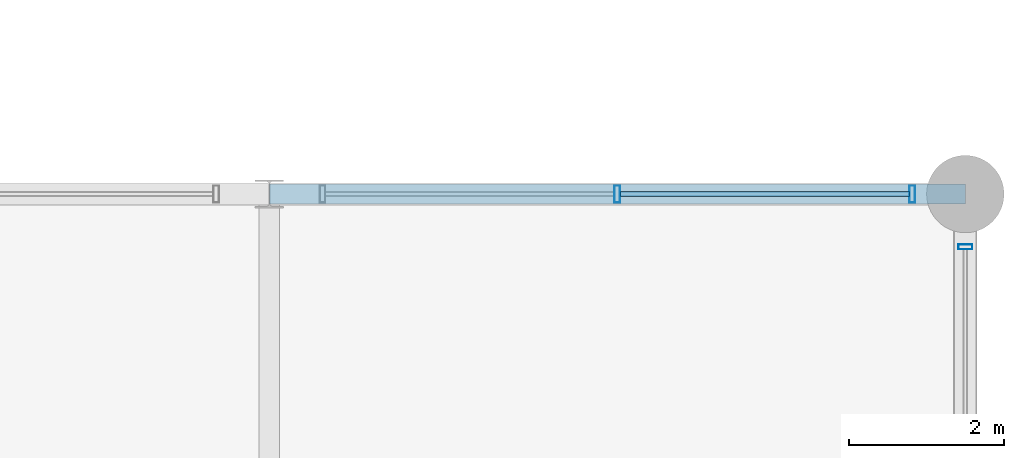
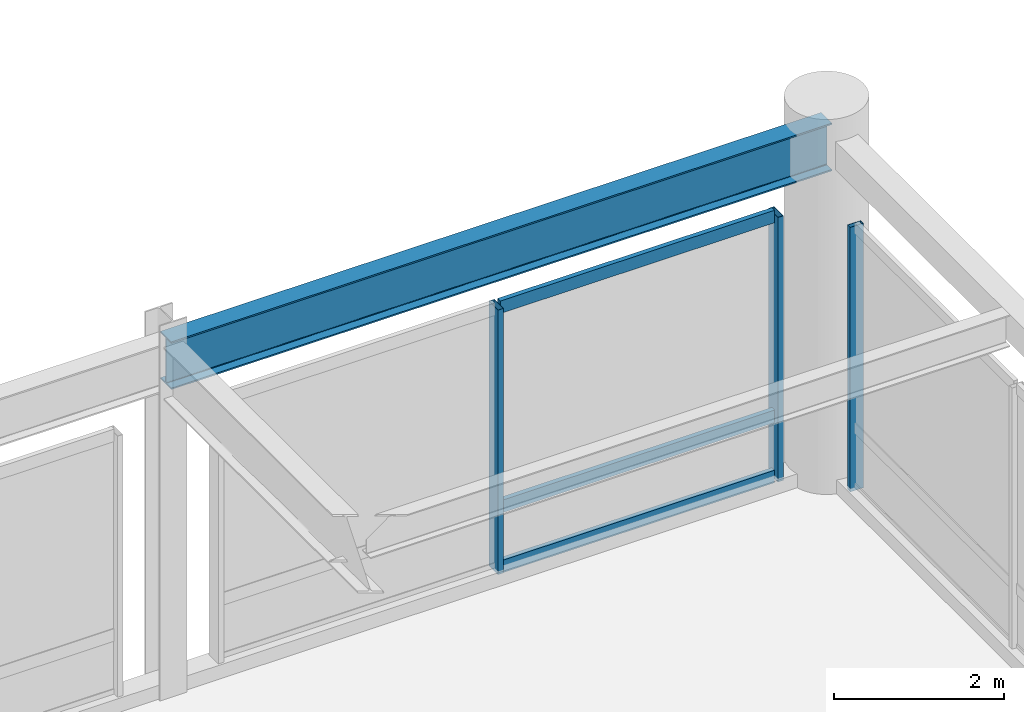
# One storey, part 56 of 100: 6 members, 1 beam, 2 elements without a shape of their own.
"""IFC4 building model written with IfcOpenShell, lengths in metres."""

from ifc_helpers import new_model, si_unit, direction, frame, origin, origin_2d, place, context, subcontext, project, spatial, hollow_rectangle, i_section, extrude, material, material_profile, profile_set, type_object, element, aggregate, save


model = new_model("IFC4")

# Units and contexts
model_context = context("Model", 3, precision=1e-05, world=origin(), true_north=direction((0.0, 1.0)))
body_context = subcontext(model_context, "Body", "Model", "MODEL_VIEW")
ifc_project = project(units=[si_unit("LENGTHUNIT", "METRE"), si_unit("AREAUNIT", "SQUARE_METRE"), si_unit("VOLUMEUNIT", "CUBIC_METRE"), si_unit("PLANEANGLEUNIT", "RADIAN"), si_unit("MASSUNIT", "GRAM", prefix="KILO")], contexts=[model_context])

# Site, building, storey
site_placement = place(None, origin())
site = spatial("IfcSite", under=ifc_project, at=site_placement, CompositionType="ELEMENT")
building_placement = place(site_placement, origin())
building = spatial("IfcBuilding", under=site, at=building_placement, Name="Kaldorvane Square Convention Centre", CompositionType="ELEMENT")
storey_placement = place(building_placement, frame((0.0, 0.0, 18.0)))
storey = spatial("IfcBuildingStorey", under=building, at=storey_placement, Name="L03", CompositionType="ELEMENT", Elevation=18.0)

# Beam
ifc_material_1 = material(Name="Steel ASTM A992 Gr. 50", Category="steel")
ifc_material_profile_1 = material_profile(ifc_material_1, i_section(OverallWidth=0.25439453125, OverallDepth=0.6880950927734375, WebThickness=0.0131072998046875, FlangeThickness=0.0211029052734375, FilletRadius=0.01519775390625, at=origin_2d()), Name="W27X102")
ifc_profile_set_1 = profile_set([ifc_material_profile_1], Name="Steel ASTM A992 Gr. 50")
beam_type = type_object("IfcBeamType", Name="BM-GR-W27X102", PredefinedType="BEAM", material=ifc_profile_set_1)
beam_placement = place(storey_placement, frame((165.0, 36.0, 4.731903076171875), z_axis=(1.0, 0.0, 0.0), x_axis=(0.0, 1.0, 0.0)))
element("IfcBeam", 1, at=beam_placement, inside=storey, type_object=beam_type, Name="Primary Girder (L03)", PredefinedType="BEAM", context=body_context, shape_type="SweptSolid", body=[
    extrude(i_section(OverallWidth=0.25439453125, OverallDepth=0.6880950927734375, WebThickness=0.0131072998046875, FlangeThickness=0.0211029052734375, FilletRadius=0.01519775390625, at=origin_2d()), origin(), (0.0, 0.0, 1.0), 9.0),
])

# Curtain wall, member
ifc_material_2 = material(Name="Anodized Aluminum and Low-E Insulated Glazing", Category="aluminium")
curtain_wall_type_1 = type_object("IfcCurtainWallType", Name="CW-UNI-P54-09", PredefinedType="USERDEFINED", material=ifc_material_2)
curtain_wall_1_placement = place(storey_placement, origin())
curtain_wall_1 = element("IfcCurtainWall", 2, at=curtain_wall_1_placement, inside=storey, type_object=curtain_wall_type_1, Name="Curtain Wall CW-04 (L03)", ObjectType="UNITISED GLAZING", PredefinedType="USERDEFINED")
ifc_material_profile_2 = material_profile(ifc_material_2, hollow_rectangle(XDim=0.06500244140625, YDim=0.17999267578125, WallThickness=0.0034942626953125, at=origin_2d()), Name="CWM-180X65")
ifc_profile_set_2 = profile_set([ifc_material_profile_2], Name="Anodized Aluminum and Low-E Insulated Glazing")
member_type_1 = type_object("IfcMemberType", Name="CW-MUL-180", PredefinedType="MULLION", material=ifc_profile_set_2)
member_1_placement = place(storey_placement, frame((174.0, 35.3175048828125, 0.149993896484375), z_axis=(0.0, 0.0, 1.0), x_axis=(0.0, 1.0, 0.0)))
member_1 = element("IfcMember", 3, at=member_1_placement, type_object=member_type_1, Name="CW-04 mullion 3", PredefinedType="MULLION", context=body_context, shape_type="SweptSolid", body=[
    extrude(hollow_rectangle(XDim=0.06500244140625, YDim=0.17999267578125, WallThickness=0.0034942626953125, at=origin_2d()), origin(), (0.0, 0.0, 1.0), 3.8100128173828125),
])
aggregate(curtain_wall_1, [member_1])

# Curtain wall, members
curtain_wall_type_2 = type_object("IfcCurtainWallType", Name="CW-PTS-FC-54", PredefinedType="USERDEFINED", material=ifc_material_2)
curtain_wall_2_placement = place(storey_placement, origin())
curtain_wall_2 = element("IfcCurtainWall", 4, at=curtain_wall_2_placement, inside=storey, type_object=curtain_wall_type_2, Name="Curtain Wall CW-08 (L03)", ObjectType="POINT SUPPORTED GLAZING", PredefinedType="USERDEFINED")
ifc_material_profile_3 = material_profile(ifc_material_2, hollow_rectangle(XDim=0.0749969482421875, YDim=0.220001220703125, WallThickness=0.003997802734375, at=origin_2d()), Name="CWM-220X75")
ifc_profile_set_3 = profile_set([ifc_material_profile_3], Name="Anodized Aluminum and Low-E Insulated Glazing")
member_type_2 = type_object("IfcMemberType", Name="CW-MUL-220", PredefinedType="MULLION", material=ifc_profile_set_3)
member_2_placement = place(storey_placement, frame((173.3125, 36.0, 0.149993896484375), z_axis=(0.0, 0.0, 1.0), x_axis=(-1.0, 0.0, 0.0)))
member_2 = element("IfcMember", 5, at=member_2_placement, type_object=member_type_2, Name="CW-08 mullion 1", PredefinedType="MULLION", context=body_context, shape_type="SweptSolid", body=[
    extrude(hollow_rectangle(XDim=0.0749969482421875, YDim=0.220001220703125, WallThickness=0.003997802734375, at=origin_2d()), origin(), (0.0, 0.0, 1.0), 3.8100128173828125),
])
member_3_placement = place(storey_placement, frame((169.5, 36.0, 0.149993896484375), z_axis=(0.0, 0.0, 1.0), x_axis=(-1.0, 0.0, 0.0)))
member_3 = element("IfcMember", 6, at=member_3_placement, type_object=member_type_2, Name="CW-08 mullion 2", PredefinedType="MULLION", context=body_context, shape_type="SweptSolid", body=[
    extrude(hollow_rectangle(XDim=0.0749969482421875, YDim=0.220001220703125, WallThickness=0.003997802734375, at=origin_2d()), origin(), (0.0, 0.0, 1.0), 3.8100128173828125),
])
ifc_material_profile_4 = material_profile(ifc_material_2, hollow_rectangle(XDim=0.06500244140625, YDim=0.17999267578125, WallThickness=0.0034942626953125, at=origin_2d()), Name="CWT-180X65")
ifc_profile_set_4 = profile_set([ifc_material_profile_4], Name="Anodized Aluminum and Low-E Insulated Glazing")
member_type_3 = type_object("IfcMemberType", Name="CW-TRN-180", PredefinedType="USERDEFINED", material=ifc_profile_set_4)
member_4_placement = place(storey_placement, frame((173.27499389648438, 36.0, 0.1824951171875), z_axis=(-1.0, 0.0, 0.0), x_axis=(0.0, -1.0, 0.0)))
member_4 = element("IfcMember", 7, at=member_4_placement, type_object=member_type_3, Name="CW-08 transom 1.1", ObjectType="TRANSOM", PredefinedType="USERDEFINED", context=body_context, shape_type="SweptSolid", body=[
    extrude(hollow_rectangle(XDim=0.06500244140625, YDim=0.17999267578125, WallThickness=0.0034942626953125, at=origin_2d()), origin(), (0.0, 0.0, 1.0), 3.73748779296875),
])
member_5_placement = place(storey_placement, frame((173.27499389648438, 36.0, 1.0500030517578125), z_axis=(-1.0, 0.0, 0.0), x_axis=(0.0, -1.0, 0.0)))
member_5 = element("IfcMember", 8, at=member_5_placement, type_object=member_type_3, Name="CW-08 transom 1.2", ObjectType="TRANSOM", PredefinedType="USERDEFINED", context=body_context, shape_type="SweptSolid", body=[
    extrude(hollow_rectangle(XDim=0.06500244140625, YDim=0.17999267578125, WallThickness=0.0034942626953125, at=origin_2d()), origin(), (0.0, 0.0, 1.0), 3.73748779296875),
])
member_6_placement = place(storey_placement, frame((173.27499389648438, 36.0, 3.9275054931640625), z_axis=(-1.0, 0.0, 0.0), x_axis=(0.0, -1.0, 0.0)))
member_6 = element("IfcMember", 9, at=member_6_placement, type_object=member_type_3, Name="CW-08 transom 1.3", ObjectType="TRANSOM", PredefinedType="USERDEFINED", context=body_context, shape_type="SweptSolid", body=[
    extrude(hollow_rectangle(XDim=0.06500244140625, YDim=0.17999267578125, WallThickness=0.0034942626953125, at=origin_2d()), origin(), (0.0, 0.0, 1.0), 3.73748779296875),
])
aggregate(curtain_wall_2, [member_2, member_3, member_4, member_5, member_6])

save(model, "model.ifc")
